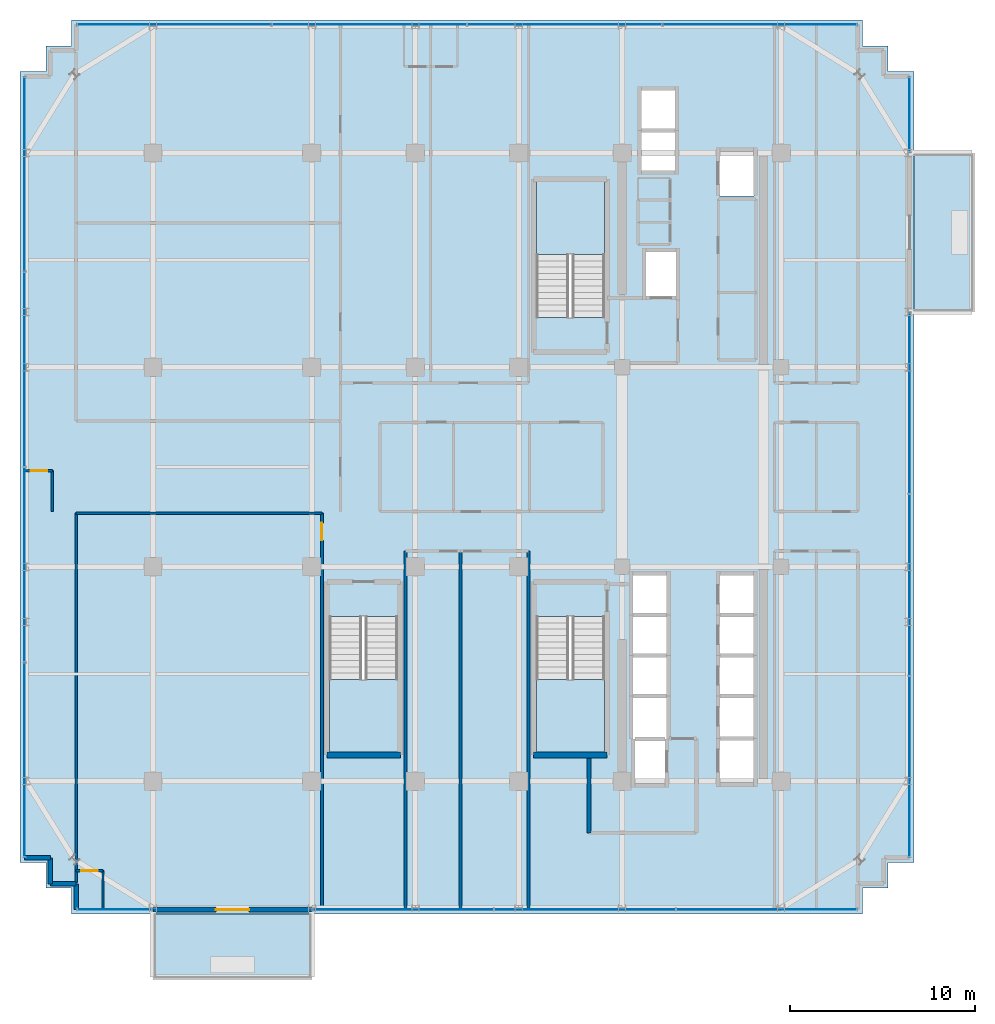
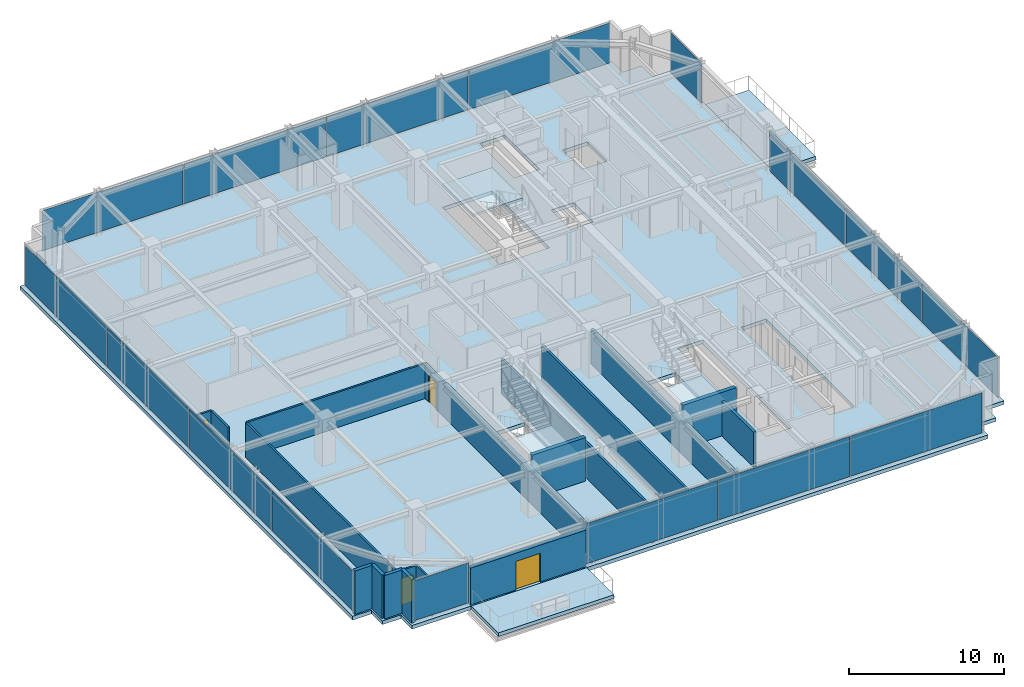
# One storey, part 29 of 36: 18 walls, 16 plates, 6 slabs, 4 doors, 4 openings, 9 elements without a shape of their own.
"""IFC4 building model written with IfcOpenShell, lengths in metres."""

import ifcopenshell
import ifcopenshell.guid

model = None  # the IFC model being written
_history = None  # IfcOwnerHistory: only IFC2X3 demands one
_inside = {}  # id of a spatial element -> (the spatial element, [elements in it])
_under = {}  # id of a project, library or spatial element -> (it, [spatial elements below it])
_declared = {}  # id of a project -> (the project, [libraries it declares])
_typed = {}  # id of a type object -> (the type object, [elements of that type])
_made_of = {}  # id of a material, layer set ... -> (it, [elements and type objects made of it])


def new_model(schema):
    """Start an empty IFC model of exactly this schema.

    Asked for "IFC4X3", IfcOpenShell would pick the latest addendum, in which some entities
    have other attributes; the version numbers below select the first issue.
    IFC2X3 requires an IfcOwnerHistory on every rooted entity: one is made here for all.
    """
    global model, _history
    if schema == "IFC4X3":
        model = ifcopenshell.file(schema_version=(4, 3, 0, 0))
    else:
        model = ifcopenshell.file(schema=schema)
    _inside.clear()
    _under.clear()
    _declared.clear()
    _typed.clear()
    _made_of.clear()
    _history = None
    if model.schema == "IFC2X3":
        org = make("IfcOrganization", Name="unknown")
        user = make(
            "IfcPersonAndOrganization",
            ThePerson=make("IfcPerson", FamilyName="unknown"),
            TheOrganization=org,
        )
        app = make(
            "IfcApplication",
            ApplicationDeveloper=org,
            Version="unknown",
            ApplicationFullName="unknown",
            ApplicationIdentifier="unknown",
        )
        _history = make(
            "IfcOwnerHistory",
            OwningUser=user,
            OwningApplication=app,
            ChangeAction="ADDED",
            CreationDate=0,
        )
    return model


def make(cls, **values):
    """One entity of the class cls with the attributes given. An attribute that is None is left unset."""
    return model.create_entity(
        cls, **{name: value for name, value in values.items() if value is not None}
    )


def rooted(cls, **values):
    """An entity with a GlobalId (a new one), such as an element, a storey or a relation."""
    return make(cls, GlobalId=ifcopenshell.guid.new(), OwnerHistory=_history, **values)


def si_unit(unit_type, name, prefix=None):
    """IfcSIUnit, for example si_unit("LENGTHUNIT", "METRE", prefix="MILLI")."""
    return make("IfcSIUnit", UnitType=unit_type, Prefix=prefix, Name=name)


def assignment(units):
    """IfcUnitAssignment: the units of a project."""
    return None if units is None else make("IfcUnitAssignment", Units=units)


def point(xyz):
    """IfcCartesianPoint."""
    return None if xyz is None else make("IfcCartesianPoint", Coordinates=xyz)


def direction(xyz):
    """IfcDirection."""
    return None if xyz is None else make("IfcDirection", DirectionRatios=xyz)


def frame(location, z_axis=None, x_axis=None):
    """IfcAxis2Placement3D, a coordinate frame: its origin and axes. An axis left out is left unset."""
    return make(
        "IfcAxis2Placement3D",
        Location=point(location),
        Axis=direction(z_axis),
        RefDirection=direction(x_axis),
    )


def frame_2d(location, x_axis=None):
    """IfcAxis2Placement2D, a coordinate frame in the plane: its origin and x axis."""
    return make(
        "IfcAxis2Placement2D", Location=point(location), RefDirection=direction(x_axis)
    )


def origin():
    """The frame at (0, 0, 0) with its axes left unset."""
    return frame((0.0, 0.0, 0.0))


def origin_2d():
    """The frame at (0, 0) in the plane with its x axis left unset."""
    return frame_2d((0.0, 0.0))


def place(relative_to, where):
    """IfcLocalPlacement: puts the frame where relative to a parent placement (None: the world)."""
    return make(
        "IfcLocalPlacement", PlacementRelTo=relative_to, RelativePlacement=where
    )


def context(
    kind, dimensions, precision=None, world=None, true_north=None, identifier=None
):
    """IfcGeometricRepresentationContext, for example the 3D "Model" context."""
    return make(
        "IfcGeometricRepresentationContext",
        ContextIdentifier=identifier,
        ContextType=kind,
        CoordinateSpaceDimension=dimensions,
        Precision=precision,
        WorldCoordinateSystem=world,
        TrueNorth=true_north,
    )


def subcontext(parent, identifier, kind, view, scale=None):
    """IfcGeometricRepresentationSubContext, for example "Body" below "Model"."""
    return make(
        "IfcGeometricRepresentationSubContext",
        ContextIdentifier=identifier,
        ContextType=kind,
        ParentContext=parent,
        TargetScale=scale,
        TargetView=view,
    )


def project(units=None, contexts=None):
    """IfcProject with its units and contexts."""
    return rooted(
        "IfcProject",
        Name="project",
        RepresentationContexts=contexts,
        UnitsInContext=assignment(units),
    )


def spatial(cls, under=None, at=None, **own):
    """A site, building, storey or space (cls), placed at a placement, below another one or the project."""
    s = rooted(cls, ObjectPlacement=at, **own)
    if under is not None:
        _under.setdefault(under.id(), (under, []))[1].append(s)
    return s


def polyline(points):
    """IfcPolyline through the points."""
    return make("IfcPolyline", Points=[point(p) for p in points])


def profile(cls, at=None, kind="AREA", **sizes):
    """A parametric profile (cls). Its sizes go by their IFC names, for example OverallWidth=200.0."""
    return make(cls, ProfileType=kind, Position=at, **sizes)


def rectangle(**sizes):
    """IfcRectangleProfileDef."""
    return profile("IfcRectangleProfileDef", **sizes)


def outline(outer, holes=None, kind="AREA"):
    """IfcArbitraryClosedProfileDef: a profile drawn as a closed curve; with holes, ...WithVoids."""
    if holes is None:
        return make("IfcArbitraryClosedProfileDef", ProfileType=kind, OuterCurve=outer)
    return make(
        "IfcArbitraryProfileDefWithVoids",
        ProfileType=kind,
        OuterCurve=outer,
        InnerCurves=holes,
    )


def extrude(swept, where, along, depth):
    """IfcExtrudedAreaSolid: the profile swept, set in the frame where, extruded along a direction by depth."""
    return make(
        "IfcExtrudedAreaSolid",
        SweptArea=swept,
        Position=where,
        ExtrudedDirection=direction(along),
        Depth=depth,
    )


def shape(context_of_items, identifier, shape_type, items):
    """IfcShapeRepresentation: the items that make up one representation, for example the "Body"."""
    return make(
        "IfcShapeRepresentation",
        ContextOfItems=context_of_items,
        RepresentationIdentifier=identifier,
        RepresentationType=shape_type,
        Items=items,
    )


def source(mapping_origin, context_of_items, identifier, shape_type, items):
    """IfcRepresentationMap: a shape defined once, which mapped items show again and again."""
    return make(
        "IfcRepresentationMap",
        MappingOrigin=mapping_origin,
        MappedRepresentation=shape(context_of_items, identifier, shape_type, items),
    )


def transform(
    local_origin,
    x_axis=None,
    y_axis=None,
    z_axis=None,
    scale=None,
    scale2=None,
    scale3=None,
    uniform=True,
):
    """IfcCartesianTransformationOperator3D, or its non-uniform kind. x_axis, y_axis, z_axis: its Axis1, 2, 3."""
    if uniform:
        return make(
            "IfcCartesianTransformationOperator3D",
            Axis1=direction(x_axis),
            Axis2=direction(y_axis),
            LocalOrigin=point(local_origin),
            Scale=scale,
            Axis3=direction(z_axis),
        )
    return make(
        "IfcCartesianTransformationOperator3DnonUniform",
        Axis1=direction(x_axis),
        Axis2=direction(y_axis),
        LocalOrigin=point(local_origin),
        Scale=scale,
        Axis3=direction(z_axis),
        Scale2=scale2,
        Scale3=scale3,
    )


def mapped(mapping_source, mapping_target):
    """IfcMappedItem: shows the shape of a source again, moved by a transform."""
    return make(
        "IfcMappedItem", MappingSource=mapping_source, MappingTarget=mapping_target
    )


def material(Name=None, Category=None):
    """IfcMaterial."""
    return make("IfcMaterial", Name=Name, Category=Category)


def layer(
    of_material, thickness, ventilated=None, Name=None, Category=None, Priority=None
):
    """IfcMaterialLayer: one layer of a wall or slab, of a material (None: an air gap)."""
    return make(
        "IfcMaterialLayer",
        Material=of_material,
        LayerThickness=thickness,
        IsVentilated=ventilated,
        Name=Name,
        Category=Category,
        Priority=Priority,
    )


def layer_set(layers, Name=None):
    """IfcMaterialLayerSet."""
    return make("IfcMaterialLayerSet", MaterialLayers=layers, LayerSetName=Name)


def made_of(thing, what):
    """Note that an element or type object is made of a material, layer set ...; save() writes the relation."""
    if what is not None:
        _made_of.setdefault(what.id(), (what, []))[1].append(thing)
    return thing


def type_object(cls, material=None, **own):
    """A type object (cls), such as IfcWallType, which elements share."""
    return made_of(rooted(cls, **own), material)


def element(
    cls,
    number,
    at=None,
    inside=None,
    cuts=None,
    type_object=None,
    material=None,
    context=None,
    identifier="Body",
    shape_type=None,
    held_by="IfcProductDefinitionShape",
    body=None,
    shapes=None,
    **own,
):
    """One element of the class cls, such as IfcWall. Its Tag is "e" and its number.

    at: its placement. inside: the storey or other place that contains it. cuts: it is an
    opening in that element (IfcRelVoidsElement). A single representation is given by context,
    identifier, shape_type and body (its items); several are given by shapes. held_by: the class
    of the entity that holds the representations. save() writes the other relations.
    """
    e = rooted(cls, Tag="e%d" % number, ObjectPlacement=at, **own)
    if body is not None:
        shapes = [shape(context, identifier, shape_type, body)]
    if shapes is not None:
        e.Representation = make(held_by, Representations=shapes)
    if inside is not None:
        _inside.setdefault(inside.id(), (inside, []))[1].append(e)
    if cuts is not None:
        rooted(
            "IfcRelVoidsElement", RelatingBuildingElement=cuts, RelatedOpeningElement=e
        )
    if type_object is not None:
        _typed.setdefault(type_object.id(), (type_object, []))[1].append(e)
    return made_of(e, material)


def fill(opening, filler):
    """IfcRelFillsElement: the door or window that sits in an opening."""
    return rooted(
        "IfcRelFillsElement",
        RelatingOpeningElement=opening,
        RelatedBuildingElement=filler,
    )


def aggregate(whole, parts):
    """IfcRelAggregates: a whole, such as a stair, and the parts it consists of."""
    return rooted("IfcRelAggregates", RelatingObject=whole, RelatedObjects=parts)


def save(model, path):
    """Write the relations noted so far, then the file.

    IfcRelAggregates (storeys below a building ...), IfcRelContainedInSpatialStructure (elements
    in a storey), IfcRelDefinesByType, IfcRelAssociatesMaterial and IfcRelDeclares: one each for
    every whole, place, type object, material and project.
    """
    for whole, parts in _under.values():
        aggregate(whole, parts)
    for where, things in _inside.values():
        rooted(
            "IfcRelContainedInSpatialStructure",
            RelatedElements=things,
            RelatingStructure=where,
        )
    for kind, things in _typed.values():
        rooted("IfcRelDefinesByType", RelatedObjects=things, RelatingType=kind)
    for what, things in _made_of.values():
        rooted("IfcRelAssociatesMaterial", RelatedObjects=things, RelatingMaterial=what)
    for by, libraries in _declared.values():
        rooted("IfcRelDeclares", RelatingContext=by, RelatedDefinitions=libraries)
    model.write(path)


model = new_model("IFC4")

# Units and contexts
model_context = context("Model", 3, precision=1e-05, world=origin(), true_north=direction((0.0, 1.0)))
body_context = subcontext(model_context, "Body", "Model", "MODEL_VIEW")
ifc_project = project(units=[si_unit("LENGTHUNIT", "METRE"), si_unit("AREAUNIT", "SQUARE_METRE"), si_unit("VOLUMEUNIT", "CUBIC_METRE"), si_unit("PLANEANGLEUNIT", "RADIAN"), si_unit("MASSUNIT", "GRAM", prefix="KILO")], contexts=[model_context])

# Site, building, storey
site_placement = place(None, origin())
site = spatial("IfcSite", under=ifc_project, at=site_placement, CompositionType="ELEMENT")
building_placement = place(site_placement, origin())
building = spatial("IfcBuilding", under=site, at=building_placement, Name="Nahalor Promenade Grand Hotel", CompositionType="ELEMENT")
storey_placement = place(building_placement, frame((0.0, 0.0, 223.39990234375)))
storey = spatial("IfcBuildingStorey", under=building, at=storey_placement, Name="L57", CompositionType="ELEMENT", Elevation=223.39990234375)

# Stair, slab
ifc_material_1 = material(Name="Concrete B-50 (C40/50)", Category="concrete")
stair_type_1 = type_object("IfcStairType", Name="Stair-ST1", PredefinedType="HALF_TURN_STAIR", material=ifc_material_1)
stair_1_placement = place(storey_placement, origin())
stair_1 = element("IfcStair", 1, at=stair_1_placement, inside=storey, type_object=stair_type_1, Name="L57 ST1", PredefinedType="HALF_TURN_STAIR")
ifc_layer_1 = layer(ifc_material_1, 0.199951171875)
ifc_layer_set_1 = layer_set([ifc_layer_1], Name="Concrete B-50 (C40/50)")
slab_type_1 = type_object("IfcSlabType", Name="Landing-ST1", PredefinedType="LANDING", material=ifc_layer_set_1)
slab_1_placement = place(storey_placement, frame((0.0, 0.0, 1.650146484375)))
slab_1 = element("IfcSlab", 2, at=slab_1_placement, type_object=slab_type_1, Name="ST1 landing 1", PredefinedType="LANDING", context=body_context, shape_type="SweptSolid", body=[
    extrude(outline(polyline([(7.449951171875, 11.5), (7.449951171875, 15.449951171875), (3.75, 15.449951171875), (3.75, 11.5), (7.449951171875, 11.5)])), origin(), (0.0, 0.0, 1.0), 0.199951171875),
])
aggregate(stair_1, [slab_1])

stair_type_2 = type_object("IfcStairType", Name="Stair-ST2", PredefinedType="HALF_TURN_STAIR", material=ifc_material_1)
stair_2_placement = place(storey_placement, origin())
stair_2 = element("IfcStair", 3, at=stair_2_placement, inside=storey, type_object=stair_type_2, Name="L57 ST2", PredefinedType="HALF_TURN_STAIR")
ifc_layer_2 = layer(ifc_material_1, 0.2099609375)
ifc_layer_set_2 = layer_set([ifc_layer_2], Name="Concrete B-50 (C40/50)")
slab_type_2 = type_object("IfcSlabType", Name="Landing-ST2", PredefinedType="LANDING", material=ifc_layer_set_2)
slab_2_placement = place(storey_placement, frame((0.0, 0.0, 1.64013671875)))
slab_2 = element("IfcSlab", 4, at=slab_2_placement, type_object=slab_type_2, Name="ST2 landing 1", PredefinedType="LANDING", context=body_context, shape_type="SweptSolid", body=[
    extrude(outline(polyline([(3.75, -11.5), (3.75, -15.449951171875), (7.449951171875, -15.449951171875), (7.449951171875, -11.5), (3.75, -11.5)])), origin(), (0.0, 0.0, 1.0), 0.2099609375),
])
aggregate(stair_2, [slab_2])

stair_type_3 = type_object("IfcStairType", Name="Stair-ST3", PredefinedType="HALF_TURN_STAIR", material=ifc_material_1)
stair_3_placement = place(storey_placement, origin())
stair_3 = element("IfcStair", 5, at=stair_3_placement, inside=storey, type_object=stair_type_3, Name="L57 ST3", PredefinedType="HALF_TURN_STAIR")
ifc_layer_3 = layer(ifc_material_1, 0.219970703125)
ifc_layer_set_3 = layer_set([ifc_layer_3], Name="Concrete B-50 (C40/50)")
slab_type_3 = type_object("IfcSlabType", Name="Landing-ST3", PredefinedType="LANDING", material=ifc_layer_set_3)
slab_3_placement = place(storey_placement, frame((0.0, 0.0, 1.630126953125)))
slab_3 = element("IfcSlab", 6, at=slab_3_placement, type_object=slab_type_3, Name="ST3 landing 1", PredefinedType="LANDING", context=body_context, shape_type="SweptSolid", body=[
    extrude(outline(polyline([(-7.449951171875, -11.5), (-7.449951171875, -15.449951171875), (-3.75, -15.449951171875), (-3.75, -11.5), (-7.449951171875, -11.5)])), origin(), (0.0, 0.0, 1.0), 0.219970703125),
])
aggregate(stair_3, [slab_3])

# Slabs
ifc_layer_4 = layer(ifc_material_1, 0.280029296875)
ifc_layer_set_4 = layer_set([ifc_layer_4], Name="Concrete B-50 (C40/50)")
slab_type_4 = type_object("IfcSlabType", Name="Slab-Balcony-280", PredefinedType="FLOOR", material=ifc_layer_set_4)
slab_4_placement = place(storey_placement, frame((0.0, 0.0, -0.27978515625)))
element("IfcSlab", 7, at=slab_4_placement, inside=storey, type_object=slab_type_4, Name="L57 Cantilevered Planted Balcony 1", PredefinedType="FLOOR", context=body_context, shape_type="SweptSolid", body=[
    extrude(outline(polyline([(-17.0, -27.699951171875), (-8.39990234375, -27.699951171875), (-8.39990234375, -24.199951171875), (-17.0, -24.199951171875), (-17.0, -27.699951171875)])), origin(), (0.0, 0.0, 1.0), 0.27978515625),
])
slab_5_placement = place(storey_placement, frame((0.0, 0.0, -0.27978515625)))
element("IfcSlab", 8, at=slab_5_placement, inside=storey, type_object=slab_type_4, Name="L57 Cantilevered Planted Balcony 2", PredefinedType="FLOOR", context=body_context, shape_type="SweptSolid", body=[
    extrude(outline(polyline([(24.199951171875, 8.39990234375), (27.419921875, 8.39990234375), (27.419921875, 17.0), (24.199951171875, 17.0), (24.199951171875, 8.39990234375)])), origin(), (0.0, 0.0, 1.0), 0.27978515625),
])
ifc_layer_5 = layer(ifc_material_1, 0.2900390625)
ifc_layer_set_5 = layer_set([ifc_layer_5], Name="Concrete B-50 (C40/50)")
slab_type_5 = type_object("IfcSlabType", Name="Slab-TowerZ4-290", PredefinedType="FLOOR", material=ifc_layer_set_5)
slab_6_placement = place(storey_placement, frame((0.0, 0.0, -0.289794921875)))
element("IfcSlab", 9, at=slab_6_placement, inside=storey, type_object=slab_type_5, Name="L57 Suspended Structural Floor Slab", PredefinedType="FLOOR", context=body_context, shape_type="SweptSolid", body=[
    extrude(outline(polyline([(-21.39990234375, -24.199951171875), (21.39990234375, -24.199951171875), (21.39990234375, -22.800048828125), (22.800048828125, -22.800048828125), (22.800048828125, -21.39990234375), (24.199951171875, -21.39990234375), (24.199951171875, 21.39990234375), (22.800048828125, 21.39990234375), (22.800048828125, 22.800048828125), (21.39990234375, 22.800048828125), (21.39990234375, 24.199951171875), (-21.39990234375, 24.199951171875), (-21.39990234375, 22.800048828125), (-22.800048828125, 22.800048828125), (-22.800048828125, 21.39990234375), (-24.199951171875, 21.39990234375), (-24.199951171875, -21.39990234375), (-22.800048828125, -21.39990234375), (-22.800048828125, -22.800048828125), (-21.39990234375, -22.800048828125), (-21.39990234375, -24.199951171875)]), holes=[polyline([(3.75, 8.10009765625), (7.449951171875, 8.10009765625), (7.449951171875, 15.449951171875), (3.75, 15.449951171875), (3.75, 8.10009765625)]), polyline([(3.75, -15.449951171875), (7.449951171875, -15.449951171875), (7.449951171875, -8.10009765625), (3.75, -8.10009765625), (3.75, -15.449951171875)]), polyline([(-7.449951171875, -15.449951171875), (-3.75, -15.449951171875), (-3.75, -8.10009765625), (-7.449951171875, -8.10009765625), (-7.449951171875, -15.449951171875)]), polyline([(13.659912109375, -17.139892578125), (15.5400390625, -17.139892578125), (15.5400390625, -5.81005859375), (13.659912109375, -5.81005859375), (13.659912109375, -17.139892578125)]), polyline([(8.9599609375, -17.18994140625), (10.840087890625, -17.18994140625), (10.840087890625, -5.81005859375), (8.9599609375, -5.81005859375), (8.9599609375, -17.18994140625)]), polyline([(9.409912109375, 16.010009765625), (11.2900390625, 16.010009765625), (11.2900390625, 20.43994140625), (9.409912109375, 20.43994140625), (9.409912109375, 16.010009765625)]), polyline([(9.659912109375, 9.2099609375), (11.340087890625, 9.2099609375), (11.340087890625, 11.68994140625), (9.659912109375, 11.68994140625), (9.659912109375, 9.2099609375)]), polyline([(13.659912109375, 14.659912109375), (15.5400390625, 14.659912109375), (15.5400390625, 17.139892578125), (13.659912109375, 17.139892578125), (13.659912109375, 14.659912109375)])]), origin(), (0.0, 0.0, 1.0), 0.289794921875),
])

# Curtain wall, plates
ifc_material_2 = material(Name="Anodised Bronze Aluminium EN AW-6063 T6", Category="aluminium")
curtain_wall_type = type_object("IfcCurtainWallType", Name="CW2 Typical Hotel Flush Bronze Unitised Curtain Wall", PredefinedType="USERDEFINED", material=ifc_material_2)
curtain_wall_1_placement = place(storey_placement, origin())
curtain_wall_1 = element("IfcCurtainWall", 10, at=curtain_wall_1_placement, inside=storey, type_object=curtain_wall_type, Name="L57 Curtain Wall CW-L57-N-1", ObjectType="UNITISED_CURTAIN_WALL", PredefinedType="USERDEFINED")
ifc_material_3 = material(Name="Low-E Laminated Solar Glass", Category="glass")
ifc_layer_6 = layer(ifc_material_3, 0.028076171875)
ifc_layer_set_6 = layer_set([ifc_layer_6], Name="Low-E Laminated Solar Glass")
plate_type = type_object("IfcPlateType", Name="CWP2 Bronze Low-E Vision IGU 28mm", PredefinedType="CURTAIN_PANEL", material=ifc_layer_set_6)
shared_shape_1 = source(origin(), body_context, "Body", "SweptSolid", [
    extrude(rectangle(XDim=10.482421875, YDim=0.028076171875, at=origin_2d()), origin(), (0.0, 0.0, 1.0), 3.14990234375),
])
plate_1_placement = place(storey_placement, frame((-15.853759765625, 23.9599609375, 0.130126953125), z_axis=(0.0, 0.0, 1.0), x_axis=(1.0, 0.0, 0.0)))
plate_1 = element("IfcPlate", 11, at=plate_1_placement, type_object=plate_type, Name="CW-L57-N-1 Glazing Panel 0-0", PredefinedType="CURTAIN_PANEL", context=body_context, shape_type="MappedRepresentation", body=[
    mapped(shared_shape_1, transform((0.0, 0.0, 0.0), scale=1.0)),
])
plate_2_placement = place(storey_placement, frame((15.853759765625, 23.9599609375, 0.130126953125), z_axis=(0.0, 0.0, 1.0), x_axis=(1.0, 0.0, 0.0)))
plate_2 = element("IfcPlate", 12, at=plate_2_placement, type_object=plate_type, Name="CW-L57-N-1 Glazing Panel 3-0", PredefinedType="CURTAIN_PANEL", context=body_context, shape_type="MappedRepresentation", body=[
    mapped(shared_shape_1, transform((0.0, 0.0, 0.0), scale=1.0)),
])

curtain_wall_2_placement = place(storey_placement, origin())
curtain_wall_2 = element("IfcCurtainWall", 13, at=curtain_wall_2_placement, inside=storey, type_object=curtain_wall_type, Name="L57 Curtain Wall CW-L57-W-1", ObjectType="UNITISED_CURTAIN_WALL", PredefinedType="USERDEFINED")
plate_3_placement = place(storey_placement, frame((-23.9599609375, -15.853759765625, 0.130126953125), z_axis=(0.0, 0.0, 1.0), x_axis=(0.0, 1.0, 0.0)))
plate_3 = element("IfcPlate", 14, at=plate_3_placement, type_object=plate_type, Name="CW-L57-W-1 Glazing Panel 0-0", PredefinedType="CURTAIN_PANEL", context=body_context, shape_type="MappedRepresentation", body=[
    mapped(shared_shape_1, transform((0.0, 0.0, 0.0), scale=1.0)),
])
plate_4_placement = place(storey_placement, frame((-23.9599609375, 15.853759765625, 0.130126953125), z_axis=(0.0, 0.0, 1.0), x_axis=(0.0, 1.0, 0.0)))
plate_4 = element("IfcPlate", 15, at=plate_4_placement, type_object=plate_type, Name="CW-L57-W-1 Glazing Panel 3-0", PredefinedType="CURTAIN_PANEL", context=body_context, shape_type="MappedRepresentation", body=[
    mapped(shared_shape_1, transform((0.0, 0.0, 0.0), scale=1.0)),
])

# Plate
shared_shape_2 = source(origin(), body_context, "Body", "SweptSolid", [
    extrude(rectangle(XDim=10.514892578125, YDim=0.028076171875, at=origin_2d()), origin(), (0.0, 0.0, 1.0), 3.14990234375),
])
plate_5_placement = place(storey_placement, frame((-5.2900390625, 23.9599609375, 0.130126953125), z_axis=(0.0, 0.0, 1.0), x_axis=(1.0, 0.0, 0.0)))
plate_5 = element("IfcPlate", 16, at=plate_5_placement, type_object=plate_type, Name="CW-L57-N-1 Glazing Panel 1-0", PredefinedType="CURTAIN_PANEL", context=body_context, shape_type="MappedRepresentation", body=[
    mapped(shared_shape_2, transform((0.0, 0.0, 0.0), scale=1.0)),
])

plate_6_placement = place(storey_placement, frame((5.2900390625, 23.9599609375, 0.130126953125), z_axis=(0.0, 0.0, 1.0), x_axis=(1.0, 0.0, 0.0)))
plate_6 = element("IfcPlate", 17, at=plate_6_placement, type_object=plate_type, Name="CW-L57-N-1 Glazing Panel 2-0", PredefinedType="CURTAIN_PANEL", context=body_context, shape_type="MappedRepresentation", body=[
    mapped(shared_shape_2, transform((0.0, 0.0, 0.0), scale=1.0)),
])

aggregate(curtain_wall_1, [plate_1, plate_5, plate_6, plate_2])

plate_7_placement = place(storey_placement, frame((-23.9599609375, -5.2900390625, 0.130126953125), z_axis=(0.0, 0.0, 1.0), x_axis=(0.0, 1.0, 0.0)))
plate_7 = element("IfcPlate", 18, at=plate_7_placement, type_object=plate_type, Name="CW-L57-W-1 Glazing Panel 1-0", PredefinedType="CURTAIN_PANEL", context=body_context, shape_type="MappedRepresentation", body=[
    mapped(shared_shape_2, transform((0.0, 0.0, 0.0), scale=1.0)),
])

plate_8_placement = place(storey_placement, frame((-23.9599609375, 5.2900390625, 0.130126953125), z_axis=(0.0, 0.0, 1.0), x_axis=(0.0, 1.0, 0.0)))
plate_8 = element("IfcPlate", 19, at=plate_8_placement, type_object=plate_type, Name="CW-L57-W-1 Glazing Panel 2-0", PredefinedType="CURTAIN_PANEL", context=body_context, shape_type="MappedRepresentation", body=[
    mapped(shared_shape_2, transform((0.0, 0.0, 0.0), scale=1.0)),
])

aggregate(curtain_wall_2, [plate_3, plate_7, plate_8, plate_4])

# Curtain wall, plate
curtain_wall_3_placement = place(storey_placement, origin())
curtain_wall_3 = element("IfcCurtainWall", 20, at=curtain_wall_3_placement, inside=storey, type_object=curtain_wall_type, Name="L57 Curtain Wall CW-L57-S-1", ObjectType="UNITISED_CURTAIN_WALL", PredefinedType="USERDEFINED")
shared_shape_3 = source(origin(), body_context, "Body", "SweptSolid", [
    extrude(rectangle(XDim=4.030029296875, YDim=0.028076171875, at=origin_2d()), origin(), (0.0, 0.0, 1.0), 3.14990234375),
])
plate_9_placement = place(storey_placement, frame((-19.080078125, -23.9599609375, 0.130126953125), z_axis=(0.0, 0.0, 1.0), x_axis=(1.0, 0.0, 0.0)))
plate_9 = element("IfcPlate", 21, at=plate_9_placement, type_object=plate_type, Name="CW-L57-S-1 Glazing Panel 0-0", PredefinedType="CURTAIN_PANEL", context=body_context, shape_type="MappedRepresentation", body=[
    mapped(shared_shape_3, transform((0.0, 0.0, 0.0), scale=1.0)),
])
aggregate(curtain_wall_3, [plate_9])

curtain_wall_4_placement = place(storey_placement, origin())
curtain_wall_4 = element("IfcCurtainWall", 22, at=curtain_wall_4_placement, inside=storey, type_object=curtain_wall_type, Name="L57 Curtain Wall CW-L57-E-3", ObjectType="UNITISED_CURTAIN_WALL", PredefinedType="USERDEFINED")
plate_10_placement = place(storey_placement, frame((23.9599609375, 19.080078125, 0.130126953125), z_axis=(0.0, 0.0, 1.0), x_axis=(0.0, 1.0, 0.0)))
plate_10 = element("IfcPlate", 23, at=plate_10_placement, type_object=plate_type, Name="CW-L57-E-3 Glazing Panel 0-0", PredefinedType="CURTAIN_PANEL", context=body_context, shape_type="MappedRepresentation", body=[
    mapped(shared_shape_3, transform((0.0, 0.0, 0.0), scale=1.0)),
])
aggregate(curtain_wall_4, [plate_10])

# Curtain wall, plates
curtain_wall_5_placement = place(storey_placement, origin())
curtain_wall_5 = element("IfcCurtainWall", 24, at=curtain_wall_5_placement, inside=storey, type_object=curtain_wall_type, Name="L57 Curtain Wall CW-L57-S-3", ObjectType="UNITISED_CURTAIN_WALL", PredefinedType="USERDEFINED")
shared_shape_4 = source(origin(), body_context, "Body", "SweptSolid", [
    extrude(rectangle(XDim=9.755859375, YDim=0.028076171875, at=origin_2d()), origin(), (0.0, 0.0, 1.0), 3.14990234375),
])
plate_11_placement = place(storey_placement, frame((-3.45703125, -23.9599609375, 0.130126953125), z_axis=(0.0, 0.0, 1.0), x_axis=(1.0, 0.0, 0.0)))
plate_11 = element("IfcPlate", 25, at=plate_11_placement, type_object=plate_type, Name="CW-L57-S-3 Glazing Panel 0-0", PredefinedType="CURTAIN_PANEL", context=body_context, shape_type="MappedRepresentation", body=[
    mapped(shared_shape_4, transform((0.0, 0.0, 0.0), scale=1.0)),
])
plate_12_placement = place(storey_placement, frame((16.217041015625, -23.9599609375, 0.130126953125), z_axis=(0.0, 0.0, 1.0), x_axis=(1.0, 0.0, 0.0)))
plate_12 = element("IfcPlate", 26, at=plate_12_placement, type_object=plate_type, Name="CW-L57-S-3 Glazing Panel 2-0", PredefinedType="CURTAIN_PANEL", context=body_context, shape_type="MappedRepresentation", body=[
    mapped(shared_shape_4, transform((0.0, 0.0, 0.0), scale=1.0)),
])

curtain_wall_6_placement = place(storey_placement, origin())
curtain_wall_6 = element("IfcCurtainWall", 27, at=curtain_wall_6_placement, inside=storey, type_object=curtain_wall_type, Name="L57 Curtain Wall CW-L57-E-1", ObjectType="UNITISED_CURTAIN_WALL", PredefinedType="USERDEFINED")
plate_13_placement = place(storey_placement, frame((23.9599609375, -16.217041015625, 0.130126953125), z_axis=(0.0, 0.0, 1.0), x_axis=(0.0, 1.0, 0.0)))
plate_13 = element("IfcPlate", 28, at=plate_13_placement, type_object=plate_type, Name="CW-L57-E-1 Glazing Panel 0-0", PredefinedType="CURTAIN_PANEL", context=body_context, shape_type="MappedRepresentation", body=[
    mapped(shared_shape_4, transform((0.0, 0.0, 0.0), scale=1.0)),
])
plate_14_placement = place(storey_placement, frame((23.9599609375, 3.45703125, 0.130126953125), z_axis=(0.0, 0.0, 1.0), x_axis=(0.0, 1.0, 0.0)))
plate_14 = element("IfcPlate", 29, at=plate_14_placement, type_object=plate_type, Name="CW-L57-E-1 Glazing Panel 2-0", PredefinedType="CURTAIN_PANEL", context=body_context, shape_type="MappedRepresentation", body=[
    mapped(shared_shape_4, transform((0.0, 0.0, 0.0), scale=1.0)),
])

# Plate
shared_shape_5 = source(origin(), body_context, "Body", "SweptSolid", [
    extrude(rectangle(XDim=9.788330078125, YDim=0.028076171875, at=origin_2d()), origin(), (0.0, 0.0, 1.0), 3.14990234375),
])
plate_15_placement = place(storey_placement, frame((6.3798828125, -23.9599609375, 0.130126953125), z_axis=(0.0, 0.0, 1.0), x_axis=(1.0, 0.0, 0.0)))
plate_15 = element("IfcPlate", 30, at=plate_15_placement, type_object=plate_type, Name="CW-L57-S-3 Glazing Panel 1-0", PredefinedType="CURTAIN_PANEL", context=body_context, shape_type="MappedRepresentation", body=[
    mapped(shared_shape_5, transform((0.0, 0.0, 0.0), scale=1.0)),
])

aggregate(curtain_wall_5, [plate_11, plate_15, plate_12])

plate_16_placement = place(storey_placement, frame((23.9599609375, -6.3798828125, 0.130126953125), z_axis=(0.0, 0.0, 1.0), x_axis=(0.0, 1.0, 0.0)))
plate_16 = element("IfcPlate", 31, at=plate_16_placement, type_object=plate_type, Name="CW-L57-E-1 Glazing Panel 1-0", PredefinedType="CURTAIN_PANEL", context=body_context, shape_type="MappedRepresentation", body=[
    mapped(shared_shape_5, transform((0.0, 0.0, 0.0), scale=1.0)),
])

aggregate(curtain_wall_6, [plate_13, plate_16, plate_14])

# Walls
ifc_layer_7 = layer(ifc_material_1, 0.300048828125)
ifc_layer_set_7 = layer_set([ifc_layer_7], Name="Concrete B-50 (C40/50)")
wall_type_1 = type_object("IfcWallType", Name="Wall-ShaftShear-300", PredefinedType="SHEAR", material=ifc_layer_set_7)
shared_shape_6 = source(origin(), body_context, "Body", "SweptSolid", [
    extrude(rectangle(XDim=3.97998046875, YDim=0.300048828125, at=frame_2d((1.989990234375, 0.0))), origin(), (0.0, 0.0, 1.0), 3.41015625),
])
for number, where, z_axis, x_axis, name in (
    (32, (3.610107421875, -15.590087890625, 0.0), (0.0, 0.0, 1.0), (1.0, 0.0, 0.0), "L57 Exit Stair ST2 Shaft Wall S"),
    (33, (-7.590087890625, -15.590087890625, 0.0), (0.0, 0.0, 1.0), (1.0, 0.0, 0.0), "L57 Exit Stair ST3 Shaft Wall S"),
):
    element("IfcWall", number, at=place(storey_placement, frame(where, z_axis=z_axis, x_axis=x_axis)), inside=storey, type_object=wall_type_1, Name=name, PredefinedType="SHEAR", context=body_context, shape_type="MappedRepresentation", body=[
        mapped(shared_shape_6, transform((0.0, 0.0, 0.0), scale=1.0)),
    ])
ifc_material_4 = material(Name="Concrete B-40 (C32/40)", Category="concrete")
ifc_layer_8 = layer(ifc_material_4, 0.25)
ifc_layer_set_8 = layer_set([ifc_layer_8], Name="Concrete B-40 (C32/40)")
wall_type_2 = type_object("IfcWallType", Name="Wall-BronzePier-250", PredefinedType="STANDARD", material=ifc_layer_set_8)
shared_shape_7 = source(origin(), body_context, "Body", "SweptSolid", [
    extrude(rectangle(XDim=1.39990234375, YDim=0.25, at=frame_2d((0.699951171875, 0.0))), origin(), (0.0, 0.0, 1.0), 3.41015625),
])
for number, where, z_axis, x_axis, name in (
    (34, (-23.9599609375, -21.159912109375, 0.0), (0.0, 0.0, 1.0), (1.0, 0.0, 0.0), "W-L57-SR-13"),
    (35, (-21.159912109375, -23.9599609375, 0.0), (0.0, 0.0, 1.0), (0.0, 1.0, 0.0), "W-L57-SR-16"),
):
    element("IfcWall", number, at=place(storey_placement, frame(where, z_axis=z_axis, x_axis=x_axis)), inside=storey, type_object=wall_type_2, Name=name, PredefinedType="STANDARD", context=body_context, shape_type="MappedRepresentation", body=[
        mapped(shared_shape_7, transform((0.0, 0.0, 0.0), scale=1.0)),
    ])
shared_shape_8 = source(origin(), body_context, "Body", "SweptSolid", [
    extrude(rectangle(XDim=1.400146484375, YDim=0.25, at=frame_2d((0.7001953125, 0.0))), origin(), (0.0, 0.0, 1.0), 3.41015625),
])
for number, where, z_axis, x_axis, name in (
    (36, (-22.56005859375, -22.56005859375, 0.0), (0.0, 0.0, 1.0), (0.0, 1.0, 0.0), "W-L57-SR-14"),
    (37, (-22.56005859375, -22.56005859375, 0.0), (0.0, 0.0, 1.0), (1.0, 0.0, 0.0), "W-L57-SR-15"),
):
    element("IfcWall", number, at=place(storey_placement, frame(where, z_axis=z_axis, x_axis=x_axis)), inside=storey, type_object=wall_type_2, Name=name, PredefinedType="STANDARD", context=body_context, shape_type="MappedRepresentation", body=[
        mapped(shared_shape_8, transform((0.0, 0.0, 0.0), scale=1.0)),
    ])

# Wall, opening, door
ifc_layer_9 = layer(ifc_material_4, 0.260009765625)
ifc_layer_set_9 = layer_set([ifc_layer_9], Name="Concrete B-40 (C32/40)")
wall_type_3 = type_object("IfcWallType", Name="Wall-BalconyWall-260", PredefinedType="STANDARD", material=ifc_layer_set_9)
shared_shape_9 = source(origin(), body_context, "Body", "SweptSolid", [
    extrude(rectangle(XDim=8.60009765625, YDim=0.260009765625, at=frame_2d((4.300048828125, 0.0))), origin(), (0.0, 0.0, 1.0), 2.89013671875),
])
wall_1_placement = place(storey_placement, frame((-17.0, -23.9599609375, 0.0), z_axis=(0.0, 0.0, 1.0), x_axis=(1.0, 0.0, 0.0)))
wall_1 = element("IfcWall", 38, at=wall_1_placement, inside=storey, type_object=wall_type_3, Name="W-L57-BALC-S-2", PredefinedType="STANDARD", context=body_context, shape_type="MappedRepresentation", body=[
    mapped(shared_shape_9, transform((0.0, 0.0, 0.0), scale=1.0)),
])
opening_1_placement = place(wall_1_placement, frame((3.39990234375, 0.0, 0.0)))
opening_1 = element("IfcOpeningElement", 39, at=opening_1_placement, cuts=wall_1, Name="Opening D-BC1", PredefinedType="OPENING", context=body_context, shape_type="SweptSolid", body=[
    extrude(rectangle(XDim=1.800048828125, YDim=2.25, at=frame_2d((0.89990234375, 1.125))), frame((0.0, 0.139892578125, 0.0), z_axis=(0.0, -1.0, 0.0), x_axis=(1.0, 0.0, 0.0)), (0.0, 0.0, 1.0), 0.280029296875),
])
door_type_1 = type_object("IfcDoorType", Name="Door-BalconySlide-1800", OperationType="DOUBLE_DOOR_SLIDING", PredefinedType="DOOR", material=ifc_material_2)
shared_shape_10 = source(origin(), body_context, "Body", "SweptSolid", [
    extrude(rectangle(XDim=1.800048828125, YDim=2.25, at=frame_2d((0.89990234375, 1.125))), frame((0.0, 0.02490234375, 0.0), z_axis=(0.0, -1.0, 0.0), x_axis=(1.0, 0.0, 0.0)), (0.0, 0.0, 1.0), 0.050048828125),
])
door_1_placement = place(opening_1_placement, frame((1.800048828125, 0.0, 0.0), z_axis=(0.0, 0.0, 1.0), x_axis=(-1.0, 0.0, 0.0)))
door_1 = element("IfcDoor", 40, at=door_1_placement, inside=storey, type_object=door_type_1, Name="DR-L57-BALC-S-2", OperationType="DOUBLE_DOOR_SLIDING", OverallHeight=2.25, OverallWidth=1.800048828125, PredefinedType="DOOR", context=body_context, shape_type="MappedRepresentation", body=[
    mapped(shared_shape_10, transform((0.0, 0.0, 0.0), scale=1.0)),
])
fill(opening_1, door_1)

# Walls
ifc_layer_10 = layer(ifc_material_4, 0.199951171875)
ifc_layer_set_10 = layer_set([ifc_layer_10], Name="Concrete B-40 (C32/40)")
wall_type_4 = type_object("IfcWallType", Name="Wall-PartFire-200", PredefinedType="PARTITIONING", material=ifc_layer_set_10)
shared_shape_11 = source(origin(), body_context, "Body", "SweptSolid", [
    extrude(rectangle(XDim=4.030029296875, YDim=0.199951171875, at=frame_2d((2.01513671875, 0.0))), origin(), (0.0, 0.0, 1.0), 2.75),
])
wall_2_placement = place(storey_placement, frame((6.60009765625, -19.800048828125, 0.0), z_axis=(0.0, 0.0, 1.0), x_axis=(0.0, 1.0, 0.0)))
element("IfcWall", 41, at=wall_2_placement, inside=storey, type_object=wall_type_4, Name="W-L57-FF2-W1", PredefinedType="PARTITIONING", context=body_context, shape_type="MappedRepresentation", body=[
    mapped(shared_shape_11, transform((0.0, 0.0, 0.0), scale=1.0)),
])
ifc_material_5 = material(Name="Acoustic Mineral Gypsum", Category="gypsum")
ifc_layer_11 = layer(ifc_material_5, 0.159912109375)
ifc_layer_set_11 = layer_set([ifc_layer_11], Name="Acoustic Mineral Gypsum")
wall_type_5 = type_object("IfcWallType", Name="Wall-PartCorridor-160", PredefinedType="PARTITIONING", material=ifc_layer_set_11)
shared_shape_12 = source(origin(), body_context, "Body", "SweptSolid", [
    extrude(rectangle(XDim=19.349853515625, YDim=0.159912109375, at=frame_2d((9.6748046875, 0.0))), origin(), (0.0, 0.0, 1.0), 2.75),
])
for number, where, z_axis, x_axis, name in (
    (42, (-3.340087890625, -23.89990234375, 0.0), (0.0, 0.0, 1.0), (0.0, 1.0, 0.0), "W-L57-SCB1-W"),
    (43, (-0.35009765625, -23.89990234375, 0.0), (0.0, 0.0, 1.0), (0.0, 1.0, 0.0), "W-L57-SCB1-E"),
    (44, (3.340087890625, -23.89990234375, 0.0), (0.0, 0.0, 1.0), (0.0, 1.0, 0.0), "W-L57-SCB2-E"),
):
    element("IfcWall", number, at=place(storey_placement, frame(where, z_axis=z_axis, x_axis=x_axis)), inside=storey, type_object=wall_type_5, Name=name, PredefinedType="PARTITIONING", context=body_context, shape_type="MappedRepresentation", body=[
        mapped(shared_shape_12, transform((0.0, 0.0, 0.0), scale=1.0)),
    ])

# Wall, opening, door
shared_shape_13 = source(origin(), body_context, "Body", "SweptSolid", [
    extrude(rectangle(XDim=21.39990234375, YDim=0.159912109375, at=frame_2d((10.699951171875, 0.0))), origin(), (0.0, 0.0, 1.0), 2.75),
])
wall_3_placement = place(storey_placement, frame((-7.860107421875, -23.89990234375, 0.0), z_axis=(0.0, 0.0, 1.0), x_axis=(0.0, 1.0, 0.0)))
wall_3 = element("IfcWall", 45, at=wall_3_placement, inside=storey, type_object=wall_type_5, Name="W-L57-ZSW-E", PredefinedType="PARTITIONING", context=body_context, shape_type="MappedRepresentation", body=[
    mapped(shared_shape_13, transform((0.0, 0.0, 0.0), scale=1.0)),
])
opening_2_placement = place(wall_3_placement, frame((19.925048828125, 0.0, 0.0)))
opening_2 = element("IfcOpeningElement", 46, at=opening_2_placement, cuts=wall_3, Name="Opening D-01", PredefinedType="OPENING", context=body_context, shape_type="SweptSolid", body=[
    extrude(rectangle(XDim=0.949951171875, YDim=2.10009765625, at=frame_2d((0.47509765625, 1.050048828125))), frame((0.0, 0.08984375, 0.0), z_axis=(0.0, -1.0, 0.0), x_axis=(1.0, 0.0, 0.0)), (0.0, 0.0, 1.0), 0.179931640625),
])
ifc_material_6 = material(Name="Fire-Rated Timber Composite", Category="wood")
door_type_2 = type_object("IfcDoorType", Name="Door-GuestEntry-950", OperationType="NOTDEFINED", PredefinedType="DOOR", material=ifc_material_6)
shared_shape_14 = source(origin(), body_context, "Body", "SweptSolid", [
    extrude(rectangle(XDim=0.949951171875, YDim=2.10009765625, at=frame_2d((0.47509765625, 1.050048828125))), frame((0.0, 0.02490234375, 0.0), z_axis=(0.0, -1.0, 0.0), x_axis=(1.0, 0.0, 0.0)), (0.0, 0.0, 1.0), 0.050048828125),
])
door_2_placement = place(opening_2_placement, origin())
door_2 = element("IfcDoor", 47, at=door_2_placement, inside=storey, type_object=door_type_2, Name="DR-L57-SW0-ENT", OperationType="SINGLE_SWING_RIGHT", OverallHeight=2.10009765625, OverallWidth=0.949951171875, PredefinedType="DOOR", context=body_context, shape_type="MappedRepresentation", body=[
    mapped(shared_shape_14, transform((0.0, 0.0, 0.0), scale=1.0)),
])
fill(opening_2, door_2)

# Wall
ifc_layer_12 = layer(ifc_material_5, 0.139892578125)
ifc_layer_set_12 = layer_set([ifc_layer_12], Name="Acoustic Mineral Gypsum")
wall_type_6 = type_object("IfcWallType", Name="Wall-PartSuite-140", PredefinedType="PARTITIONING", material=ifc_layer_set_12)
shared_shape_15 = source(origin(), body_context, "Body", "SweptSolid", [
    extrude(rectangle(XDim=19.97998046875, YDim=0.139892578125, at=frame_2d((9.989990234375, 0.0))), origin(), (0.0, 0.0, 1.0), 2.75),
])
wall_4_placement = place(storey_placement, frame((-21.159912109375, -22.47998046875, 0.0), z_axis=(0.0, 0.0, 1.0), x_axis=(0.0, 1.0, 0.0)))
element("IfcWall", 48, at=wall_4_placement, inside=storey, type_object=wall_type_6, Name="W-L57-ZSW-W", PredefinedType="PARTITIONING", context=body_context, shape_type="MappedRepresentation", body=[
    mapped(shared_shape_15, transform((0.0, 0.0, 0.0), scale=1.0)),
])

# Wall, opening, door
ifc_layer_13 = layer(ifc_material_5, 0.1201171875)
ifc_layer_set_13 = layer_set([ifc_layer_13], Name="Acoustic Mineral Gypsum")
wall_type_7 = type_object("IfcWallType", Name="Wall-PartBath-120", PredefinedType="PARTITIONING", material=ifc_layer_set_13)
shared_shape_16 = source(origin(), body_context, "Body", "SweptSolid", [
    extrude(rectangle(XDim=1.449951171875, YDim=0.1201171875, at=frame_2d((0.72509765625, 0.0))), origin(), (0.0, 0.0, 1.0), 2.75),
])
wall_5_placement = place(storey_placement, frame((-21.159912109375, -21.85009765625, 0.0), z_axis=(0.0, 0.0, 1.0), x_axis=(1.0, 0.0, 0.0)))
wall_5 = element("IfcWall", 49, at=wall_5_placement, inside=storey, type_object=wall_type_7, Name="W-L57-SW0-BH", PredefinedType="PARTITIONING", context=body_context, shape_type="MappedRepresentation", body=[
    mapped(shared_shape_16, transform((0.0, 0.0, 0.0), scale=1.0)),
])
opening_3_placement = place(wall_5_placement, frame((0.284912109375, 0.0, 0.0)))
opening_3 = element("IfcOpeningElement", 50, at=opening_3_placement, cuts=wall_5, Name="Opening D-03", PredefinedType="OPENING", context=body_context, shape_type="SweptSolid", body=[
    extrude(rectangle(XDim=0.8798828125, YDim=2.10009765625, at=frame_2d((0.43994140625, 1.050048828125))), frame((0.0, 0.070068359375, 0.0), z_axis=(0.0, -1.0, 0.0), x_axis=(1.0, 0.0, 0.0)), (0.0, 0.0, 1.0), 0.14013671875),
])
door_type_3 = type_object("IfcDoorType", Name="Door-BathSwing-880", OperationType="NOTDEFINED", PredefinedType="DOOR", material=ifc_material_6)
shared_shape_17 = source(origin(), body_context, "Body", "SweptSolid", [
    extrude(rectangle(XDim=0.8798828125, YDim=2.10009765625, at=frame_2d((0.43994140625, 1.050048828125))), frame((0.0, 0.02490234375, 0.0), z_axis=(0.0, -1.0, 0.0), x_axis=(1.0, 0.0, 0.0)), (0.0, 0.0, 1.0), 0.050048828125),
])
door_3_placement = place(opening_3_placement, frame((0.8798828125, 0.0, 0.0), z_axis=(0.0, 0.0, 1.0), x_axis=(-1.0, 0.0, 0.0)))
door_3 = element("IfcDoor", 51, at=door_3_placement, inside=storey, type_object=door_type_3, Name="DR-L57-SW0-BATH", OperationType="SINGLE_SWING_LEFT", OverallHeight=2.10009765625, OverallWidth=0.8798828125, PredefinedType="DOOR", context=body_context, shape_type="MappedRepresentation", body=[
    mapped(shared_shape_17, transform((0.0, 0.0, 0.0), scale=1.0)),
])
fill(opening_3, door_3)

wall_6_placement = place(storey_placement, frame((-23.89990234375, -0.199951171875, 0.0), z_axis=(0.0, 0.0, 1.0), x_axis=(1.0, 0.0, 0.0)))
wall_6 = element("IfcWall", 52, at=wall_6_placement, inside=storey, type_object=wall_type_7, Name="W-L57-W1-BH", PredefinedType="PARTITIONING", context=body_context, shape_type="MappedRepresentation", body=[
    mapped(shared_shape_16, transform((0.0, 0.0, 0.0), scale=1.0)),
])
opening_4_placement = place(wall_6_placement, frame((0.284912109375, 0.0, 0.0)))
opening_4 = element("IfcOpeningElement", 53, at=opening_4_placement, cuts=wall_6, Name="Opening D-03", PredefinedType="OPENING", context=body_context, shape_type="SweptSolid", body=[
    extrude(rectangle(XDim=0.8798828125, YDim=2.10009765625, at=frame_2d((0.43994140625, 1.050048828125))), frame((0.0, 0.070068359375, 0.0), z_axis=(0.0, -1.0, 0.0), x_axis=(1.0, 0.0, 0.0)), (0.0, 0.0, 1.0), 0.14013671875),
])
door_4_placement = place(opening_4_placement, frame((0.8798828125, 0.0, 0.0), z_axis=(0.0, 0.0, 1.0), x_axis=(-1.0, 0.0, 0.0)))
door_4 = element("IfcDoor", 54, at=door_4_placement, inside=storey, type_object=door_type_3, Name="DR-L57-W1-BATH", OperationType="SINGLE_SWING_LEFT", OverallHeight=2.10009765625, OverallWidth=0.8798828125, PredefinedType="DOOR", context=body_context, shape_type="MappedRepresentation", body=[
    mapped(shared_shape_17, transform((0.0, 0.0, 0.0), scale=1.0)),
])
fill(opening_4, door_4)

# Walls
shared_shape_18 = source(origin(), body_context, "Body", "SweptSolid", [
    extrude(rectangle(XDim=2.219970703125, YDim=0.1201171875, at=frame_2d((1.10986328125, 0.0))), origin(), (0.0, 0.0, 1.0), 2.75),
])
wall_7_placement = place(storey_placement, frame((-22.449951171875, -2.419921875, 0.0), z_axis=(0.0, 0.0, 1.0), x_axis=(0.0, 1.0, 0.0)))
element("IfcWall", 55, at=wall_7_placement, inside=storey, type_object=wall_type_7, Name="W-L57-W1-BV", PredefinedType="PARTITIONING", context=body_context, shape_type="MappedRepresentation", body=[
    mapped(shared_shape_18, transform((0.0, 0.0, 0.0), scale=1.0)),
])
shared_shape_19 = source(origin(), body_context, "Body", "SweptSolid", [
    extrude(rectangle(XDim=13.2998046875, YDim=0.139892578125, at=frame_2d((6.64990234375, 0.0))), origin(), (0.0, 0.0, 1.0), 2.75),
])
wall_8_placement = place(storey_placement, frame((-21.159912109375, -2.5, 0.0), z_axis=(0.0, 0.0, 1.0), x_axis=(1.0, 0.0, 0.0)))
element("IfcWall", 56, at=wall_8_placement, inside=storey, type_object=wall_type_6, Name="W-L57-ZSW-N", PredefinedType="PARTITIONING", context=body_context, shape_type="MappedRepresentation", body=[
    mapped(shared_shape_19, transform((0.0, 0.0, 0.0), scale=1.0)),
])
shared_shape_20 = source(origin(), body_context, "Body", "SweptSolid", [
    extrude(rectangle(XDim=2.0498046875, YDim=0.1201171875, at=frame_2d((1.02490234375, 0.0))), origin(), (0.0, 0.0, 1.0), 2.75),
])
wall_9_placement = place(storey_placement, frame((-19.7099609375, -23.89990234375, 0.0), z_axis=(0.0, 0.0, 1.0), x_axis=(0.0, 1.0, 0.0)))
element("IfcWall", 57, at=wall_9_placement, inside=storey, type_object=wall_type_7, Name="W-L57-SW0-BV", PredefinedType="PARTITIONING", context=body_context, shape_type="MappedRepresentation", body=[
    mapped(shared_shape_20, transform((0.0, 0.0, 0.0), scale=1.0)),
])

save(model, "model.ifc")
